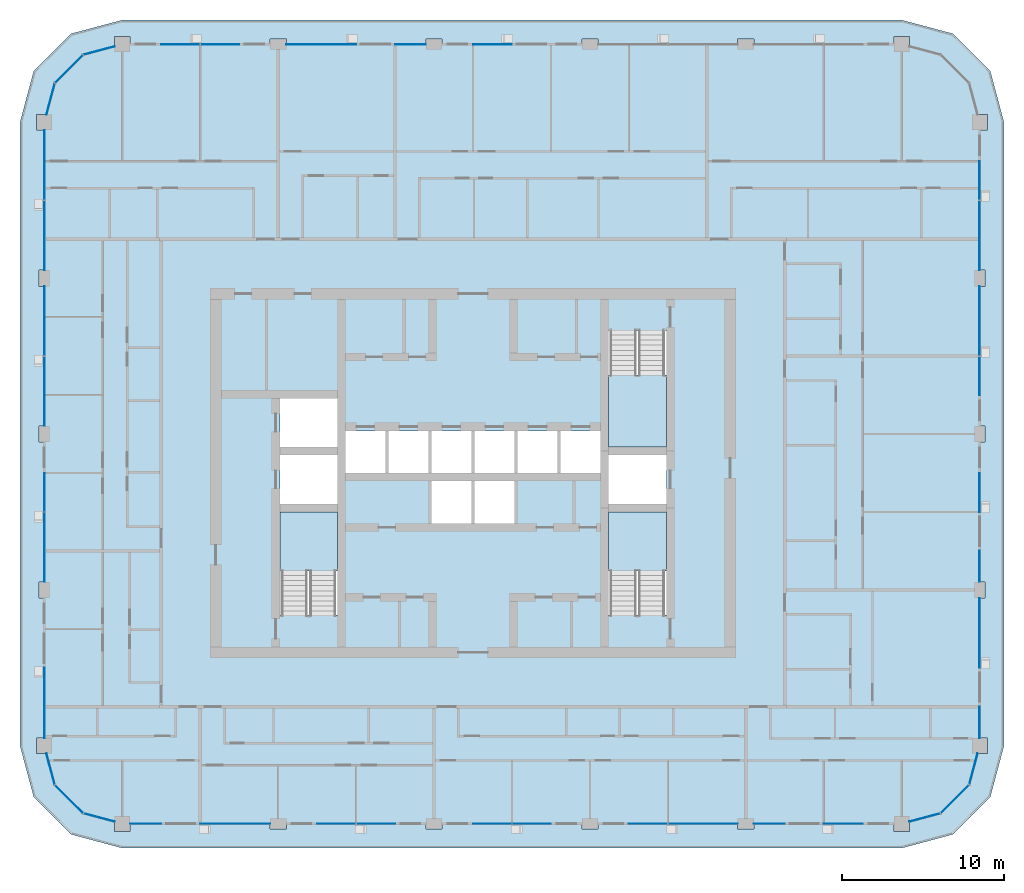
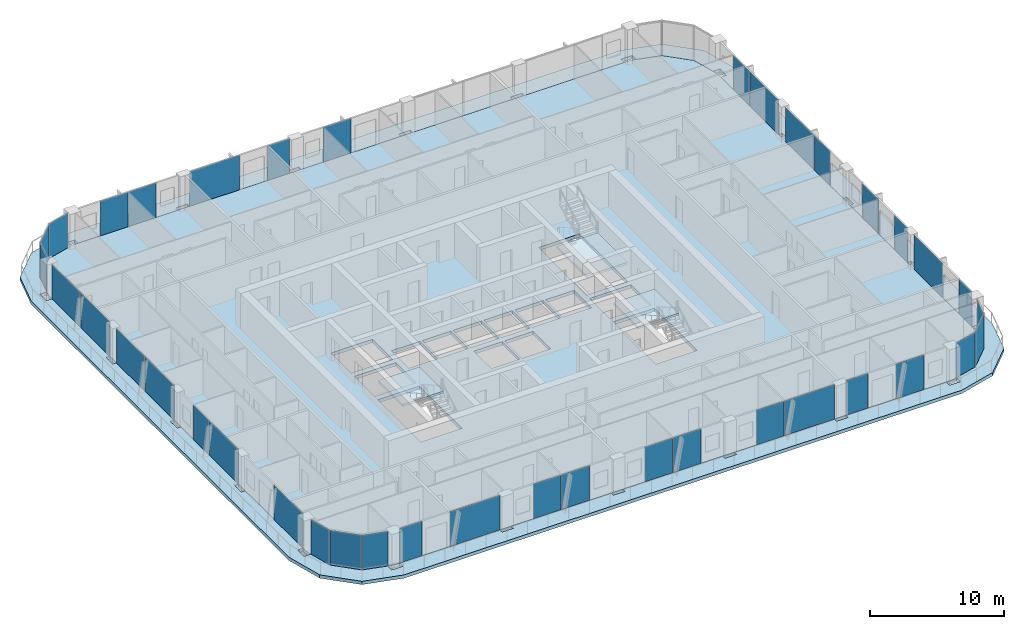
# One storey, part 7 of 23: 39 plates, 5 slabs, 22 elements without a shape of their own.
"""IFC4 building model written with IfcOpenShell, lengths in metres."""

from ifc_helpers import new_model, si_unit, direction, frame, origin, origin_2d, place, context, subcontext, project, spatial, polyline, rectangle, outline, extrude, material, layer, layer_set, type_object, element, aggregate, save


model = new_model("IFC4")

# Units and contexts
model_context = context("Model", 3, precision=1e-05, world=origin(), true_north=direction((0.0, 1.0)))
body_context = subcontext(model_context, "Body", "Model", "MODEL_VIEW")
ifc_project = project(units=[si_unit("LENGTHUNIT", "METRE"), si_unit("AREAUNIT", "SQUARE_METRE"), si_unit("VOLUMEUNIT", "CUBIC_METRE"), si_unit("PLANEANGLEUNIT", "RADIAN"), si_unit("MASSUNIT", "GRAM", prefix="KILO")], contexts=[model_context])

# Site, building, storey
site_placement = place(None, origin())
site = spatial("IfcSite", under=ifc_project, at=site_placement, CompositionType="ELEMENT")
building_placement = place(site_placement, origin())
building = spatial("IfcBuilding", under=site, at=building_placement, Name="Madar Terraces", CompositionType="ELEMENT")
storey_placement = place(building_placement, frame((0.0, 0.0, 226.300048828125)))
storey = spatial("IfcBuildingStorey", under=building, at=storey_placement, Name="L59", CompositionType="ELEMENT", Elevation=226.300048828125)

# Slabs
ifc_material_1 = material(Name="Concrete C50/60", Category="concrete")
ifc_layer_1 = layer(ifc_material_1, 0.300048828125)
ifc_layer_set_1 = layer_set([ifc_layer_1], Name="Balcony band 300")
slab_type_1 = type_object("IfcSlabType", Name="Balcony band 300", PredefinedType="FLOOR", material=ifc_layer_set_1)
slab_1_placement = place(storey_placement, frame((0.0, 0.0, -0.300048828125)))
element("IfcSlab", 1, at=slab_1_placement, inside=storey, type_object=slab_type_1, Name="Balcony band", PredefinedType="FLOOR", context=body_context, shape_type="SweptSolid", body=[
    extrude(outline(polyline([(9.60009765625, 3.300048828125), (6.449951171875, 4.14404296875), (4.14404296875, 6.449951171875), (3.300048828125, 9.60009765625), (3.300048828125, 48.0), (4.14404296875, 51.14990234375), (6.449951171875, 53.4560546875), (9.60009765625, 54.300048828125), (57.60009765625, 54.300048828125), (60.75, 53.4560546875), (63.055908203125, 51.14990234375), (63.89990234375, 48.0), (63.89990234375, 9.60009765625), (63.055908203125, 6.449951171875), (60.75, 4.14404296875), (57.60009765625, 3.300048828125), (9.60009765625, 3.300048828125)]), holes=[polyline([(10.074951171875, 4.324951171875), (10.074951171875, 4.800048828125), (18.699951171875, 4.800048828125), (18.699951171875, 4.47509765625), (19.699951171875, 4.47509765625), (19.699951171875, 4.800048828125), (28.300048828125, 4.800048828125), (28.300048828125, 4.47509765625), (29.300048828125, 4.47509765625), (29.300048828125, 4.800048828125), (37.89990234375, 4.800048828125), (37.89990234375, 4.47509765625), (38.89990234375, 4.47509765625), (38.89990234375, 4.800048828125), (47.5, 4.800048828125), (47.5, 4.47509765625), (48.5, 4.47509765625), (48.5, 4.800048828125), (57.125, 4.800048828125), (57.125, 4.324951171875), (58.074951171875, 4.324951171875), (58.074951171875, 4.92724609375), (60.0, 5.443115234375), (61.7568359375, 7.199951171875), (62.272705078125, 9.125), (62.875, 9.125), (62.875, 10.074951171875), (62.39990234375, 10.074951171875), (62.39990234375, 18.699951171875), (62.72509765625, 18.699951171875), (62.72509765625, 19.699951171875), (62.39990234375, 19.699951171875), (62.39990234375, 28.300048828125), (62.72509765625, 28.300048828125), (62.72509765625, 29.300048828125), (62.39990234375, 29.300048828125), (62.39990234375, 37.89990234375), (62.72509765625, 37.89990234375), (62.72509765625, 38.89990234375), (62.39990234375, 38.89990234375), (62.39990234375, 47.52490234375), (62.875, 47.52490234375), (62.875, 48.47509765625), (62.272705078125, 48.47509765625), (61.7568359375, 50.39990234375), (60.0, 52.156982421875), (58.074951171875, 52.672607421875), (58.074951171875, 53.27490234375), (57.125, 53.27490234375), (57.125, 52.800048828125), (48.5, 52.800048828125), (48.5, 53.125), (47.5, 53.125), (47.5, 52.800048828125), (38.89990234375, 52.800048828125), (38.89990234375, 53.125), (37.89990234375, 53.125), (37.89990234375, 52.800048828125), (29.300048828125, 52.800048828125), (29.300048828125, 53.125), (28.300048828125, 53.125), (28.300048828125, 52.800048828125), (19.699951171875, 52.800048828125), (19.699951171875, 53.125), (18.699951171875, 53.125), (18.699951171875, 52.800048828125), (10.074951171875, 52.800048828125), (10.074951171875, 53.27490234375), (9.125, 53.27490234375), (9.125, 52.672607421875), (7.199951171875, 52.156982421875), (5.443115234375, 50.39990234375), (4.92724609375, 48.47509765625), (4.324951171875, 48.47509765625), (4.324951171875, 47.52490234375), (4.800048828125, 47.52490234375), (4.800048828125, 38.89990234375), (4.47509765625, 38.89990234375), (4.47509765625, 37.89990234375), (4.800048828125, 37.89990234375), (4.800048828125, 29.300048828125), (4.47509765625, 29.300048828125), (4.47509765625, 28.300048828125), (4.800048828125, 28.300048828125), (4.800048828125, 19.699951171875), (4.47509765625, 19.699951171875), (4.47509765625, 18.699951171875), (4.800048828125, 18.699951171875), (4.800048828125, 10.074951171875), (4.324951171875, 10.074951171875), (4.324951171875, 9.125), (4.92724609375, 9.125), (5.443115234375, 7.199951171875), (7.199951171875, 5.443115234375), (9.125, 4.92724609375), (9.125, 4.324951171875), (10.074951171875, 4.324951171875)])]), origin(), (0.0, 0.0, 1.0), 0.300048828125),
])
ifc_material_2 = material(Name="Concrete C50/60", Category="concrete")
ifc_layer_2 = layer(ifc_material_2, 0.300048828125)
ifc_layer_set_2 = layer_set([ifc_layer_2], Name="FS2 PT flat slab 300")
slab_type_2 = type_object("IfcSlabType", Name="FS2 PT flat slab 300", PredefinedType="FLOOR", material=ifc_layer_set_2)
slab_2_placement = place(storey_placement, frame((0.0, 0.0, -0.300048828125)))
element("IfcSlab", 2, at=slab_2_placement, inside=storey, type_object=slab_type_2, Name="Floor slab L59 (1)", PredefinedType="FLOOR", context=body_context, shape_type="SweptSolid", body=[
    extrude(outline(polyline([(57.60009765625, 4.800048828125), (60.0, 5.443115234375), (61.7568359375, 7.199951171875), (62.39990234375, 9.60009765625), (62.39990234375, 48.0), (61.7568359375, 50.39990234375), (60.0, 52.156982421875), (57.60009765625, 52.800048828125), (9.60009765625, 52.800048828125), (7.199951171875, 52.156982421875), (5.443115234375, 50.39990234375), (4.800048828125, 48.0), (4.800048828125, 9.60009765625), (5.443115234375, 7.199951171875), (7.199951171875, 5.443115234375), (9.60009765625, 4.800048828125), (57.60009765625, 4.800048828125)]), holes=[polyline([(22.85009765625, 17.64990234375), (19.300048828125, 17.64990234375), (19.300048828125, 24.0), (22.85009765625, 24.0), (22.85009765625, 17.64990234375)]), polyline([(28.64990234375, 23.300048828125), (28.64990234375, 25.89990234375), (31.10009765625, 25.89990234375), (31.10009765625, 23.300048828125), (28.64990234375, 23.300048828125)]), polyline([(19.300048828125, 24.5), (19.300048828125, 27.5), (22.85009765625, 27.5), (22.85009765625, 24.5), (19.300048828125, 24.5)]), polyline([(23.35009765625, 26.39990234375), (23.35009765625, 29.0), (25.800048828125, 29.0), (25.800048828125, 26.39990234375), (23.35009765625, 26.39990234375)]), polyline([(26.0, 26.39990234375), (26.0, 29.0), (28.449951171875, 29.0), (28.449951171875, 26.39990234375), (26.0, 26.39990234375)]), polyline([(28.64990234375, 26.39990234375), (28.64990234375, 29.0), (31.10009765625, 29.0), (31.10009765625, 26.39990234375), (28.64990234375, 26.39990234375)]), polyline([(19.300048828125, 28.0), (19.300048828125, 31.0), (22.85009765625, 31.0), (22.85009765625, 28.0), (19.300048828125, 28.0)]), polyline([(43.10009765625, 17.64990234375), (39.550048828125, 17.64990234375), (39.550048828125, 24.0), (43.10009765625, 24.0), (43.10009765625, 17.64990234375)]), polyline([(31.300048828125, 23.300048828125), (31.300048828125, 25.89990234375), (33.75, 25.89990234375), (33.75, 23.300048828125), (31.300048828125, 23.300048828125)]), polyline([(39.550048828125, 24.5), (39.550048828125, 27.5), (43.10009765625, 27.5), (43.10009765625, 24.5), (39.550048828125, 24.5)]), polyline([(31.300048828125, 26.39990234375), (31.300048828125, 29.0), (33.75, 29.0), (33.75, 26.39990234375), (31.300048828125, 26.39990234375)]), polyline([(33.949951171875, 26.39990234375), (33.949951171875, 29.0), (36.39990234375, 29.0), (36.39990234375, 26.39990234375), (33.949951171875, 26.39990234375)]), polyline([(36.60009765625, 26.39990234375), (36.60009765625, 29.0), (39.050048828125, 29.0), (39.050048828125, 26.39990234375), (36.60009765625, 26.39990234375)]), polyline([(39.550048828125, 28.0), (39.550048828125, 35.14990234375), (43.10009765625, 35.14990234375), (43.10009765625, 28.0), (39.550048828125, 28.0)])]), origin(), (0.0, 0.0, 1.0), 0.300048828125),
])

# Curtain wall, plates
ifc_material_3 = material(Name="Glass, ceramic frit dark grey, with black aluminium frame", Category="aluminium")
ifc_layer_3 = layer(ifc_material_3, 0.199951171875)
ifc_layer_set_3 = layer_set([ifc_layer_3], Name="Facade curtain wall, fritted glass")
curtain_wall_type = type_object("IfcCurtainWallType", Name="Facade curtain wall, fritted glass", PredefinedType="NOTDEFINED", material=ifc_layer_set_3)
curtain_wall_1_placement = place(storey_placement, origin())
curtain_wall_1 = element("IfcCurtainWall", 3, at=curtain_wall_1_placement, inside=storey, type_object=curtain_wall_type, Name="Outer skin curtain wall south bay 1", PredefinedType="NOTDEFINED")
ifc_material_4 = material(Name="Glass, ceramic frit dark grey", Category="glass")
ifc_layer_4 = layer(ifc_material_4, 0.028076171875)
ifc_layer_set_4 = layer_set([ifc_layer_4], Name="Facade glass panel 28")
plate_type = type_object("IfcPlateType", Name="Facade glass panel 28", PredefinedType="CURTAIN_PANEL", material=ifc_layer_set_4)
plate_1_placement = place(storey_placement, frame((11.03759765625, 4.800048828125, 0.0), z_axis=(0.0, 0.0, 1.0), x_axis=(1.0, 0.0, 0.0)))
plate_1 = element("IfcPlate", 4, at=plate_1_placement, type_object=plate_type, Name="Panel 1", PredefinedType="CURTAIN_PANEL", context=body_context, shape_type="SweptSolid", body=[
    extrude(rectangle(XDim=1.925048828125, YDim=0.028076171875, at=origin_2d()), origin(), (0.0, 0.0, 1.0), 3.139892578125),
])
plate_2_placement = place(storey_placement, frame((16.550048828125, 4.800048828125, 0.0), z_axis=(0.0, 0.0, 1.0), x_axis=(1.0, 0.0, 0.0)))
plate_2 = element("IfcPlate", 5, at=plate_2_placement, type_object=plate_type, Name="Panel 2", PredefinedType="CURTAIN_PANEL", context=body_context, shape_type="SweptSolid", body=[
    extrude(rectangle(XDim=4.300048828125, YDim=0.028076171875, at=origin_2d()), origin(), (0.0, 0.0, 1.0), 3.139892578125),
])
aggregate(curtain_wall_1, [plate_1, plate_2])

curtain_wall_2_placement = place(storey_placement, origin())
curtain_wall_2 = element("IfcCurtainWall", 6, at=curtain_wall_2_placement, inside=storey, type_object=curtain_wall_type, Name="Outer skin curtain wall south bay 2", PredefinedType="NOTDEFINED")
plate_3_placement = place(storey_placement, frame((22.784912109375, 4.800048828125, 0.0), z_axis=(0.0, 0.0, 1.0), x_axis=(1.0, 0.0, 0.0)))
plate_3 = element("IfcPlate", 7, at=plate_3_placement, type_object=plate_type, Name="Panel 1", PredefinedType="CURTAIN_PANEL", context=body_context, shape_type="SweptSolid", body=[
    extrude(rectangle(XDim=2.3701171875, YDim=0.028076171875, at=origin_2d()), origin(), (0.0, 0.0, 1.0), 3.139892578125),
])
plate_4_placement = place(storey_placement, frame((25.215087890625, 4.800048828125, 0.0), z_axis=(0.0, 0.0, 1.0), x_axis=(1.0, 0.0, 0.0)))
plate_4 = element("IfcPlate", 8, at=plate_4_placement, type_object=plate_type, Name="Panel 2", PredefinedType="CURTAIN_PANEL", context=body_context, shape_type="SweptSolid", body=[
    extrude(rectangle(XDim=2.3701171875, YDim=0.028076171875, at=origin_2d()), origin(), (0.0, 0.0, 1.0), 3.139892578125),
])
aggregate(curtain_wall_2, [plate_3, plate_4])

curtain_wall_3_placement = place(storey_placement, origin())
curtain_wall_3 = element("IfcCurtainWall", 9, at=curtain_wall_3_placement, inside=storey, type_object=curtain_wall_type, Name="Outer skin curtain wall south bay 3", PredefinedType="NOTDEFINED")
plate_5_placement = place(storey_placement, frame((32.385009765625, 4.800048828125, 0.0), z_axis=(0.0, 0.0, 1.0), x_axis=(1.0, 0.0, 0.0)))
plate_5 = element("IfcPlate", 10, at=plate_5_placement, type_object=plate_type, Name="Panel 1", PredefinedType="CURTAIN_PANEL", context=body_context, shape_type="SweptSolid", body=[
    extrude(rectangle(XDim=2.3701171875, YDim=0.028076171875, at=origin_2d()), origin(), (0.0, 0.0, 1.0), 3.139892578125),
])
plate_6_placement = place(storey_placement, frame((34.81494140625, 4.800048828125, 0.0), z_axis=(0.0, 0.0, 1.0), x_axis=(1.0, 0.0, 0.0)))
plate_6 = element("IfcPlate", 11, at=plate_6_placement, type_object=plate_type, Name="Panel 2", PredefinedType="CURTAIN_PANEL", context=body_context, shape_type="SweptSolid", body=[
    extrude(rectangle(XDim=2.3701171875, YDim=0.028076171875, at=origin_2d()), origin(), (0.0, 0.0, 1.0), 3.139892578125),
])
aggregate(curtain_wall_3, [plate_5, plate_6])

curtain_wall_4_placement = place(storey_placement, origin())
curtain_wall_4 = element("IfcCurtainWall", 12, at=curtain_wall_4_placement, inside=storey, type_object=curtain_wall_type, Name="Outer skin curtain wall south bay 4", PredefinedType="NOTDEFINED")
plate_7_placement = place(storey_placement, frame((41.985107421875, 4.800048828125, 0.0), z_axis=(0.0, 0.0, 1.0), x_axis=(1.0, 0.0, 0.0)))
plate_7 = element("IfcPlate", 13, at=plate_7_placement, type_object=plate_type, Name="Panel 1", PredefinedType="CURTAIN_PANEL", context=body_context, shape_type="SweptSolid", body=[
    extrude(rectangle(XDim=2.3701171875, YDim=0.028076171875, at=origin_2d()), origin(), (0.0, 0.0, 1.0), 3.139892578125),
])
plate_8_placement = place(storey_placement, frame((45.364990234375, 4.800048828125, 0.0), z_axis=(0.0, 0.0, 1.0), x_axis=(1.0, 0.0, 0.0)))
plate_8 = element("IfcPlate", 14, at=plate_8_placement, type_object=plate_type, Name="Panel 2", PredefinedType="CURTAIN_PANEL", context=body_context, shape_type="SweptSolid", body=[
    extrude(rectangle(XDim=4.27001953125, YDim=0.028076171875, at=origin_2d()), origin(), (0.0, 0.0, 1.0), 3.139892578125),
])
aggregate(curtain_wall_4, [plate_7, plate_8])

curtain_wall_5_placement = place(storey_placement, origin())
curtain_wall_5 = element("IfcCurtainWall", 15, at=curtain_wall_5_placement, inside=storey, type_object=curtain_wall_type, Name="Outer skin curtain wall south bay 5", PredefinedType="NOTDEFINED")
plate_9_placement = place(storey_placement, frame((49.449951171875, 4.800048828125, 0.0), z_axis=(0.0, 0.0, 1.0), x_axis=(1.0, 0.0, 0.0)))
plate_9 = element("IfcPlate", 16, at=plate_9_placement, type_object=plate_type, Name="Panel 1", PredefinedType="CURTAIN_PANEL", context=body_context, shape_type="SweptSolid", body=[
    extrude(rectangle(XDim=1.89990234375, YDim=0.028076171875, at=origin_2d()), origin(), (0.0, 0.0, 1.0), 3.139892578125),
])
plate_10_placement = place(storey_placement, frame((54.0, 4.800048828125, 0.0), z_axis=(0.0, 0.0, 1.0), x_axis=(1.0, 0.0, 0.0)))
plate_10 = element("IfcPlate", 17, at=plate_10_placement, type_object=plate_type, Name="Panel 2", PredefinedType="CURTAIN_PANEL", context=body_context, shape_type="SweptSolid", body=[
    extrude(rectangle(XDim=2.39990234375, YDim=0.028076171875, at=origin_2d()), origin(), (0.0, 0.0, 1.0), 3.139892578125),
])
aggregate(curtain_wall_5, [plate_9, plate_10])

curtain_wall_6_placement = place(storey_placement, origin())
curtain_wall_6 = element("IfcCurtainWall", 18, at=curtain_wall_6_placement, inside=storey, type_object=curtain_wall_type, Name="Outer skin curtain wall east bay 1", PredefinedType="NOTDEFINED")
plate_11_placement = place(storey_placement, frame((62.39990234375, 11.03759765625, 0.0), z_axis=(0.0, 0.0, 1.0), x_axis=(0.0, 1.0, 0.0)))
plate_11 = element("IfcPlate", 19, at=plate_11_placement, type_object=plate_type, Name="Panel 1", PredefinedType="CURTAIN_PANEL", context=body_context, shape_type="SweptSolid", body=[
    extrude(rectangle(XDim=1.925048828125, YDim=0.028076171875, at=origin_2d()), origin(), (0.0, 0.0, 1.0), 3.139892578125),
])
plate_12_placement = place(storey_placement, frame((62.39990234375, 16.550048828125, 0.0), z_axis=(0.0, 0.0, 1.0), x_axis=(0.0, 1.0, 0.0)))
plate_12 = element("IfcPlate", 20, at=plate_12_placement, type_object=plate_type, Name="Panel 2", PredefinedType="CURTAIN_PANEL", context=body_context, shape_type="SweptSolid", body=[
    extrude(rectangle(XDim=4.300048828125, YDim=0.028076171875, at=origin_2d()), origin(), (0.0, 0.0, 1.0), 3.139892578125),
])
aggregate(curtain_wall_6, [plate_11, plate_12])

curtain_wall_7_placement = place(storey_placement, origin())
curtain_wall_7 = element("IfcCurtainWall", 21, at=curtain_wall_7_placement, inside=storey, type_object=curtain_wall_type, Name="Outer skin curtain wall east bay 2", PredefinedType="NOTDEFINED")
plate_13_placement = place(storey_placement, frame((62.39990234375, 20.64990234375, 0.0), z_axis=(0.0, 0.0, 1.0), x_axis=(0.0, 1.0, 0.0)))
plate_13 = element("IfcPlate", 22, at=plate_13_placement, type_object=plate_type, Name="Panel 1", PredefinedType="CURTAIN_PANEL", context=body_context, shape_type="SweptSolid", body=[
    extrude(rectangle(XDim=1.89990234375, YDim=0.028076171875, at=origin_2d()), origin(), (0.0, 0.0, 1.0), 3.139892578125),
])
plate_14_placement = place(storey_placement, frame((62.39990234375, 25.199951171875, 0.0), z_axis=(0.0, 0.0, 1.0), x_axis=(0.0, 1.0, 0.0)))
plate_14 = element("IfcPlate", 23, at=plate_14_placement, type_object=plate_type, Name="Panel 2", PredefinedType="CURTAIN_PANEL", context=body_context, shape_type="SweptSolid", body=[
    extrude(rectangle(XDim=2.39990234375, YDim=0.028076171875, at=origin_2d()), origin(), (0.0, 0.0, 1.0), 3.139892578125),
])
aggregate(curtain_wall_7, [plate_13, plate_14])

curtain_wall_8_placement = place(storey_placement, origin())
curtain_wall_8 = element("IfcCurtainWall", 24, at=curtain_wall_8_placement, inside=storey, type_object=curtain_wall_type, Name="Outer skin curtain wall east bay 3", PredefinedType="NOTDEFINED")
plate_15_placement = place(storey_placement, frame((62.39990234375, 32.385009765625, 0.0), z_axis=(0.0, 0.0, 1.0), x_axis=(0.0, 1.0, 0.0)))
plate_15 = element("IfcPlate", 25, at=plate_15_placement, type_object=plate_type, Name="Panel 1", PredefinedType="CURTAIN_PANEL", context=body_context, shape_type="SweptSolid", body=[
    extrude(rectangle(XDim=2.3701171875, YDim=0.028076171875, at=origin_2d()), origin(), (0.0, 0.0, 1.0), 3.139892578125),
])
plate_16_placement = place(storey_placement, frame((62.39990234375, 35.764892578125, 0.0), z_axis=(0.0, 0.0, 1.0), x_axis=(0.0, 1.0, 0.0)))
plate_16 = element("IfcPlate", 26, at=plate_16_placement, type_object=plate_type, Name="Panel 2", PredefinedType="CURTAIN_PANEL", context=body_context, shape_type="SweptSolid", body=[
    extrude(rectangle(XDim=4.27001953125, YDim=0.028076171875, at=origin_2d()), origin(), (0.0, 0.0, 1.0), 3.139892578125),
])
aggregate(curtain_wall_8, [plate_15, plate_16])

curtain_wall_9_placement = place(storey_placement, origin())
curtain_wall_9 = element("IfcCurtainWall", 27, at=curtain_wall_9_placement, inside=storey, type_object=curtain_wall_type, Name="Outer skin curtain wall east bay 4", PredefinedType="NOTDEFINED")
plate_17_placement = place(storey_placement, frame((62.39990234375, 41.034912109375, 0.0), z_axis=(0.0, 0.0, 1.0), x_axis=(0.0, 1.0, 0.0)))
plate_17 = element("IfcPlate", 28, at=plate_17_placement, type_object=plate_type, Name="Panel 1", PredefinedType="CURTAIN_PANEL", context=body_context, shape_type="SweptSolid", body=[
    extrude(rectangle(XDim=4.27001953125, YDim=0.028076171875, at=origin_2d()), origin(), (0.0, 0.0, 1.0), 3.139892578125),
])
plate_18_placement = place(storey_placement, frame((62.39990234375, 44.4150390625, 0.0), z_axis=(0.0, 0.0, 1.0), x_axis=(0.0, 1.0, 0.0)))
plate_18 = element("IfcPlate", 29, at=plate_18_placement, type_object=plate_type, Name="Panel 2", PredefinedType="CURTAIN_PANEL", context=body_context, shape_type="SweptSolid", body=[
    extrude(rectangle(XDim=2.3701171875, YDim=0.028076171875, at=origin_2d()), origin(), (0.0, 0.0, 1.0), 3.139892578125),
])
aggregate(curtain_wall_9, [plate_17, plate_18])

# Curtain wall, plate
curtain_wall_10_placement = place(storey_placement, origin())
curtain_wall_10 = element("IfcCurtainWall", 30, at=curtain_wall_10_placement, inside=storey, type_object=curtain_wall_type, Name="Outer skin curtain wall north bay 3", PredefinedType="NOTDEFINED")
plate_19_placement = place(storey_placement, frame((32.39990234375, 52.800048828125, 0.0), z_axis=(0.0, 0.0, 1.0), x_axis=(-1.0, 0.0, 0.0)))
plate_19 = element("IfcPlate", 31, at=plate_19_placement, type_object=plate_type, Name="Panel 1", PredefinedType="CURTAIN_PANEL", context=body_context, shape_type="SweptSolid", body=[
    extrude(rectangle(XDim=2.39990234375, YDim=0.028076171875, at=origin_2d()), origin(), (0.0, 0.0, 1.0), 3.139892578125),
])
aggregate(curtain_wall_10, [plate_19])

# Curtain wall, plates
curtain_wall_11_placement = place(storey_placement, origin())
curtain_wall_11 = element("IfcCurtainWall", 32, at=curtain_wall_11_placement, inside=storey, type_object=curtain_wall_type, Name="Outer skin curtain wall north bay 4", PredefinedType="NOTDEFINED")
plate_20_placement = place(storey_placement, frame((27.35009765625, 52.800048828125, 0.0), z_axis=(0.0, 0.0, 1.0), x_axis=(-1.0, 0.0, 0.0)))
plate_20 = element("IfcPlate", 33, at=plate_20_placement, type_object=plate_type, Name="Panel 1", PredefinedType="CURTAIN_PANEL", context=body_context, shape_type="SweptSolid", body=[
    extrude(rectangle(XDim=1.89990234375, YDim=0.028076171875, at=origin_2d()), origin(), (0.0, 0.0, 1.0), 3.139892578125),
])
plate_21_placement = place(storey_placement, frame((21.85009765625, 52.800048828125, 0.0), z_axis=(0.0, 0.0, 1.0), x_axis=(-1.0, 0.0, 0.0)))
plate_21 = element("IfcPlate", 34, at=plate_21_placement, type_object=plate_type, Name="Panel 2", PredefinedType="CURTAIN_PANEL", context=body_context, shape_type="SweptSolid", body=[
    extrude(rectangle(XDim=4.300048828125, YDim=0.028076171875, at=origin_2d()), origin(), (0.0, 0.0, 1.0), 3.139892578125),
])
aggregate(curtain_wall_11, [plate_20, plate_21])

curtain_wall_12_placement = place(storey_placement, origin())
curtain_wall_12 = element("IfcCurtainWall", 35, at=curtain_wall_12_placement, inside=storey, type_object=curtain_wall_type, Name="Outer skin curtain wall north bay 5", PredefinedType="NOTDEFINED")
plate_22_placement = place(storey_placement, frame((15.614990234375, 52.800048828125, 0.0), z_axis=(0.0, 0.0, 1.0), x_axis=(-1.0, 0.0, 0.0)))
plate_22 = element("IfcPlate", 36, at=plate_22_placement, type_object=plate_type, Name="Panel 1", PredefinedType="CURTAIN_PANEL", context=body_context, shape_type="SweptSolid", body=[
    extrude(rectangle(XDim=2.3701171875, YDim=0.028076171875, at=origin_2d()), origin(), (0.0, 0.0, 1.0), 3.139892578125),
])
plate_23_placement = place(storey_placement, frame((13.18505859375, 52.800048828125, 0.0), z_axis=(0.0, 0.0, 1.0), x_axis=(-1.0, 0.0, 0.0)))
plate_23 = element("IfcPlate", 37, at=plate_23_placement, type_object=plate_type, Name="Panel 2", PredefinedType="CURTAIN_PANEL", context=body_context, shape_type="SweptSolid", body=[
    extrude(rectangle(XDim=2.3701171875, YDim=0.028076171875, at=origin_2d()), origin(), (0.0, 0.0, 1.0), 3.139892578125),
])
aggregate(curtain_wall_12, [plate_22, plate_23])

curtain_wall_13_placement = place(storey_placement, origin())
curtain_wall_13 = element("IfcCurtainWall", 38, at=curtain_wall_13_placement, inside=storey, type_object=curtain_wall_type, Name="Outer skin curtain wall west bay 1", PredefinedType="NOTDEFINED")
plate_24_placement = place(storey_placement, frame((4.800048828125, 45.37744140625, 0.0), z_axis=(0.0, 0.0, 1.0), x_axis=(0.0, -1.0, 0.0)))
plate_24 = element("IfcPlate", 39, at=plate_24_placement, type_object=plate_type, Name="Panel 1", PredefinedType="CURTAIN_PANEL", context=body_context, shape_type="SweptSolid", body=[
    extrude(rectangle(XDim=4.294921875, YDim=0.028076171875, at=origin_2d()), origin(), (0.0, 0.0, 1.0), 3.139892578125),
])
plate_25_placement = place(storey_placement, frame((4.800048828125, 41.034912109375, 0.0), z_axis=(0.0, 0.0, 1.0), x_axis=(0.0, -1.0, 0.0)))
plate_25 = element("IfcPlate", 40, at=plate_25_placement, type_object=plate_type, Name="Panel 2", PredefinedType="CURTAIN_PANEL", context=body_context, shape_type="SweptSolid", body=[
    extrude(rectangle(XDim=4.27001953125, YDim=0.028076171875, at=origin_2d()), origin(), (0.0, 0.0, 1.0), 3.139892578125),
])
aggregate(curtain_wall_13, [plate_24, plate_25])

curtain_wall_14_placement = place(storey_placement, origin())
curtain_wall_14 = element("IfcCurtainWall", 41, at=curtain_wall_14_placement, inside=storey, type_object=curtain_wall_type, Name="Outer skin curtain wall west bay 2", PredefinedType="NOTDEFINED")
plate_26_placement = place(storey_placement, frame((4.800048828125, 35.764892578125, 0.0), z_axis=(0.0, 0.0, 1.0), x_axis=(0.0, -1.0, 0.0)))
plate_26 = element("IfcPlate", 42, at=plate_26_placement, type_object=plate_type, Name="Panel 1", PredefinedType="CURTAIN_PANEL", context=body_context, shape_type="SweptSolid", body=[
    extrude(rectangle(XDim=4.27001953125, YDim=0.028076171875, at=origin_2d()), origin(), (0.0, 0.0, 1.0), 3.139892578125),
])
plate_27_placement = place(storey_placement, frame((4.800048828125, 31.43505859375, 0.0), z_axis=(0.0, 0.0, 1.0), x_axis=(0.0, -1.0, 0.0)))
plate_27 = element("IfcPlate", 43, at=plate_27_placement, type_object=plate_type, Name="Panel 2", PredefinedType="CURTAIN_PANEL", context=body_context, shape_type="SweptSolid", body=[
    extrude(rectangle(XDim=4.27001953125, YDim=0.028076171875, at=origin_2d()), origin(), (0.0, 0.0, 1.0), 3.139892578125),
])
aggregate(curtain_wall_14, [plate_26, plate_27])

curtain_wall_15_placement = place(storey_placement, origin())
curtain_wall_15 = element("IfcCurtainWall", 44, at=curtain_wall_15_placement, inside=storey, type_object=curtain_wall_type, Name="Outer skin curtain wall west bay 3", PredefinedType="NOTDEFINED")
plate_28_placement = place(storey_placement, frame((4.800048828125, 25.215087890625, 0.0), z_axis=(0.0, 0.0, 1.0), x_axis=(0.0, -1.0, 0.0)))
plate_28 = element("IfcPlate", 45, at=plate_28_placement, type_object=plate_type, Name="Panel 1", PredefinedType="CURTAIN_PANEL", context=body_context, shape_type="SweptSolid", body=[
    extrude(rectangle(XDim=2.3701171875, YDim=0.028076171875, at=origin_2d()), origin(), (0.0, 0.0, 1.0), 3.139892578125),
])
plate_29_placement = place(storey_placement, frame((4.800048828125, 21.8349609375, 0.0), z_axis=(0.0, 0.0, 1.0), x_axis=(0.0, -1.0, 0.0)))
plate_29 = element("IfcPlate", 46, at=plate_29_placement, type_object=plate_type, Name="Panel 2", PredefinedType="CURTAIN_PANEL", context=body_context, shape_type="SweptSolid", body=[
    extrude(rectangle(XDim=4.27001953125, YDim=0.028076171875, at=origin_2d()), origin(), (0.0, 0.0, 1.0), 3.139892578125),
])
aggregate(curtain_wall_15, [plate_28, plate_29])

# Curtain wall, plate
curtain_wall_16_placement = place(storey_placement, origin())
curtain_wall_16 = element("IfcCurtainWall", 47, at=curtain_wall_16_placement, inside=storey, type_object=curtain_wall_type, Name="Outer skin curtain wall west bay 4", PredefinedType="NOTDEFINED")
plate_30_placement = place(storey_placement, frame((4.800048828125, 12.237548828125, 0.0), z_axis=(0.0, 0.0, 1.0), x_axis=(0.0, -1.0, 0.0)))
plate_30 = element("IfcPlate", 48, at=plate_30_placement, type_object=plate_type, Name="Panel 1", PredefinedType="CURTAIN_PANEL", context=body_context, shape_type="SweptSolid", body=[
    extrude(rectangle(XDim=4.324951171875, YDim=0.028076171875, at=origin_2d()), origin(), (0.0, 0.0, 1.0), 3.139892578125),
])
aggregate(curtain_wall_16, [plate_30])

# Curtain wall, plates
curtain_wall_17_placement = place(storey_placement, origin())
curtain_wall_17 = element("IfcCurtainWall", 49, at=curtain_wall_17_placement, inside=storey, type_object=curtain_wall_type, Name="Outer skin curtain wall south-east corner", PredefinedType="NOTDEFINED")
plate_31_placement = place(storey_placement, frame((59.02294921875, 5.181396484375, 0.0), z_axis=(0.0, 0.0, 1.0), x_axis=(0.965925832509, 0.258819021888, 0.0)))
plate_31 = element("IfcPlate", 50, at=plate_31_placement, type_object=plate_type, Name="Panel 1", PredefinedType="CURTAIN_PANEL", context=body_context, shape_type="SweptSolid", body=[
    extrude(rectangle(XDim=1.962890625, YDim=0.028076171875, at=origin_2d()), origin(), (0.0, 0.0, 1.0), 3.139892578125),
])
plate_32_placement = place(storey_placement, frame((60.87841796875, 6.321533203125, 0.0), z_axis=(0.0, 0.0, 1.0), x_axis=(0.707106781187, 0.707106781187, 0.0)))
plate_32 = element("IfcPlate", 51, at=plate_32_placement, type_object=plate_type, Name="Panel 2", PredefinedType="CURTAIN_PANEL", context=body_context, shape_type="SweptSolid", body=[
    extrude(rectangle(XDim=2.424560546875, YDim=0.028076171875, at=origin_2d()), origin(), (0.0, 0.0, 1.0), 3.139892578125),
])
plate_33_placement = place(storey_placement, frame((62.018798828125, 8.177001953125, 0.0), z_axis=(0.0, 0.0, 1.0), x_axis=(0.258819021888, 0.965925832509, 0.0)))
plate_33 = element("IfcPlate", 52, at=plate_33_placement, type_object=plate_type, Name="Panel 3", PredefinedType="CURTAIN_PANEL", context=body_context, shape_type="SweptSolid", body=[
    extrude(rectangle(XDim=1.962890625, YDim=0.028076171875, at=origin_2d()), origin(), (0.0, 0.0, 1.0), 3.139892578125),
])
aggregate(curtain_wall_17, [plate_31, plate_32, plate_33])

curtain_wall_18_placement = place(storey_placement, origin())
curtain_wall_18 = element("IfcCurtainWall", 53, at=curtain_wall_18_placement, inside=storey, type_object=curtain_wall_type, Name="Outer skin curtain wall north-west corner", PredefinedType="NOTDEFINED")
plate_34_placement = place(storey_placement, frame((8.177001953125, 52.418701171875, 0.0), z_axis=(0.0, 0.0, 1.0), x_axis=(-0.965925832509, -0.258819021888, 0.0)))
plate_34 = element("IfcPlate", 54, at=plate_34_placement, type_object=plate_type, Name="Panel 1", PredefinedType="CURTAIN_PANEL", context=body_context, shape_type="SweptSolid", body=[
    extrude(rectangle(XDim=1.962890625, YDim=0.028076171875, at=origin_2d()), origin(), (0.0, 0.0, 1.0), 3.139892578125),
])
plate_35_placement = place(storey_placement, frame((6.321533203125, 51.278564453125, 0.0), z_axis=(0.0, 0.0, 1.0), x_axis=(-0.707106781187, -0.707106781187, 0.0)))
plate_35 = element("IfcPlate", 55, at=plate_35_placement, type_object=plate_type, Name="Panel 2", PredefinedType="CURTAIN_PANEL", context=body_context, shape_type="SweptSolid", body=[
    extrude(rectangle(XDim=2.424560546875, YDim=0.028076171875, at=origin_2d()), origin(), (0.0, 0.0, 1.0), 3.139892578125),
])
plate_36_placement = place(storey_placement, frame((5.181396484375, 49.423095703125, 0.0), z_axis=(0.0, 0.0, 1.0), x_axis=(-0.258819021888, -0.965925832509, 0.0)))
plate_36 = element("IfcPlate", 56, at=plate_36_placement, type_object=plate_type, Name="Panel 3", PredefinedType="CURTAIN_PANEL", context=body_context, shape_type="SweptSolid", body=[
    extrude(rectangle(XDim=1.962890625, YDim=0.028076171875, at=origin_2d()), origin(), (0.0, 0.0, 1.0), 3.139892578125),
])
aggregate(curtain_wall_18, [plate_34, plate_35, plate_36])

curtain_wall_19_placement = place(storey_placement, origin())
curtain_wall_19 = element("IfcCurtainWall", 57, at=curtain_wall_19_placement, inside=storey, type_object=curtain_wall_type, Name="Outer skin curtain wall south-west corner", PredefinedType="NOTDEFINED")
plate_37_placement = place(storey_placement, frame((5.181396484375, 8.177001953125, 0.0), z_axis=(0.0, 0.0, 1.0), x_axis=(0.258819021888, -0.965925832509, 0.0)))
plate_37 = element("IfcPlate", 58, at=plate_37_placement, type_object=plate_type, Name="Panel 1", PredefinedType="CURTAIN_PANEL", context=body_context, shape_type="SweptSolid", body=[
    extrude(rectangle(XDim=1.962890625, YDim=0.028076171875, at=origin_2d()), origin(), (0.0, 0.0, 1.0), 3.139892578125),
])
plate_38_placement = place(storey_placement, frame((6.321533203125, 6.321533203125, 0.0), z_axis=(0.0, 0.0, 1.0), x_axis=(0.707106781187, -0.707106781187, 0.0)))
plate_38 = element("IfcPlate", 59, at=plate_38_placement, type_object=plate_type, Name="Panel 2", PredefinedType="CURTAIN_PANEL", context=body_context, shape_type="SweptSolid", body=[
    extrude(rectangle(XDim=2.424560546875, YDim=0.028076171875, at=origin_2d()), origin(), (0.0, 0.0, 1.0), 3.139892578125),
])
plate_39_placement = place(storey_placement, frame((8.177001953125, 5.181396484375, 0.0), z_axis=(0.0, 0.0, 1.0), x_axis=(0.965925832509, -0.258819021888, 0.0)))
plate_39 = element("IfcPlate", 60, at=plate_39_placement, type_object=plate_type, Name="Panel 3", PredefinedType="CURTAIN_PANEL", context=body_context, shape_type="SweptSolid", body=[
    extrude(rectangle(XDim=1.962890625, YDim=0.028076171875, at=origin_2d()), origin(), (0.0, 0.0, 1.0), 3.139892578125),
])
aggregate(curtain_wall_19, [plate_37, plate_38, plate_39])

# Stair, slab
ifc_material_5 = material(Name="Concrete C50/60", Category="concrete")
stair_type_1 = type_object("IfcStairType", Name="Stair ST1 protected exit", PredefinedType="HALF_TURN_STAIR", material=ifc_material_5)
stair_1_placement = place(storey_placement, origin())
stair_1 = element("IfcStair", 61, at=stair_1_placement, inside=storey, type_object=stair_type_1, Name="L59 Protected Exit Stair ST1", PredefinedType="HALF_TURN_STAIR")
ifc_material_6 = material(Name="Concrete C50/60", Category="concrete")
ifc_layer_5 = layer(ifc_material_6, 0.199951171875)
ifc_layer_set_5 = layer_set([ifc_layer_5], Name="Stair landing 200, top +1.75")
slab_type_3 = type_object("IfcSlabType", Name="Stair landing 200, top +1.75", PredefinedType="LANDING", material=ifc_layer_set_5)
slab_3_placement = place(storey_placement, frame((0.0, 0.0, 1.550048828125)))
slab_3 = element("IfcSlab", 62, at=slab_3_placement, type_object=slab_type_3, Name="ST1 landing 1", PredefinedType="LANDING", context=body_context, shape_type="SweptSolid", body=[
    extrude(outline(polyline([(19.300048828125, 20.360107421875), (22.85009765625, 20.360107421875), (22.85009765625, 24.0), (19.300048828125, 24.0), (19.300048828125, 20.360107421875)])), origin(), (0.0, 0.0, 1.0), 0.199951171875),
])
aggregate(stair_1, [slab_3])

ifc_material_7 = material(Name="Concrete C50/60", Category="concrete")
stair_type_2 = type_object("IfcStairType", Name="Stair ST2 protected exit", PredefinedType="HALF_TURN_STAIR", material=ifc_material_7)
stair_2_placement = place(storey_placement, origin())
stair_2 = element("IfcStair", 63, at=stair_2_placement, inside=storey, type_object=stair_type_2, Name="L59 Protected Exit Stair ST2", PredefinedType="HALF_TURN_STAIR")
slab_4_placement = place(storey_placement, frame((0.0, 0.0, 1.550048828125)))
slab_4 = element("IfcSlab", 64, at=slab_4_placement, type_object=slab_type_3, Name="ST2 landing 1", PredefinedType="LANDING", context=body_context, shape_type="SweptSolid", body=[
    extrude(outline(polyline([(39.550048828125, 28.0), (43.10009765625, 28.0), (43.10009765625, 32.43994140625), (39.550048828125, 32.43994140625), (39.550048828125, 28.0)])), origin(), (0.0, 0.0, 1.0), 0.199951171875),
])
aggregate(stair_2, [slab_4])

ifc_material_8 = material(Name="Concrete C50/60", Category="concrete")
stair_type_3 = type_object("IfcStairType", Name="Stair ST3 protected exit", PredefinedType="HALF_TURN_STAIR", material=ifc_material_8)
stair_3_placement = place(storey_placement, origin())
stair_3 = element("IfcStair", 65, at=stair_3_placement, inside=storey, type_object=stair_type_3, Name="L59 Protected Exit Stair ST3", PredefinedType="HALF_TURN_STAIR")
slab_5_placement = place(storey_placement, frame((0.0, 0.0, 1.550048828125)))
slab_5 = element("IfcSlab", 66, at=slab_5_placement, type_object=slab_type_3, Name="ST3 landing 1", PredefinedType="LANDING", context=body_context, shape_type="SweptSolid", body=[
    extrude(outline(polyline([(39.550048828125, 20.360107421875), (43.10009765625, 20.360107421875), (43.10009765625, 24.0), (39.550048828125, 24.0), (39.550048828125, 20.360107421875)])), origin(), (0.0, 0.0, 1.0), 0.199951171875),
])
aggregate(stair_3, [slab_5])

save(model, "model.ifc")
